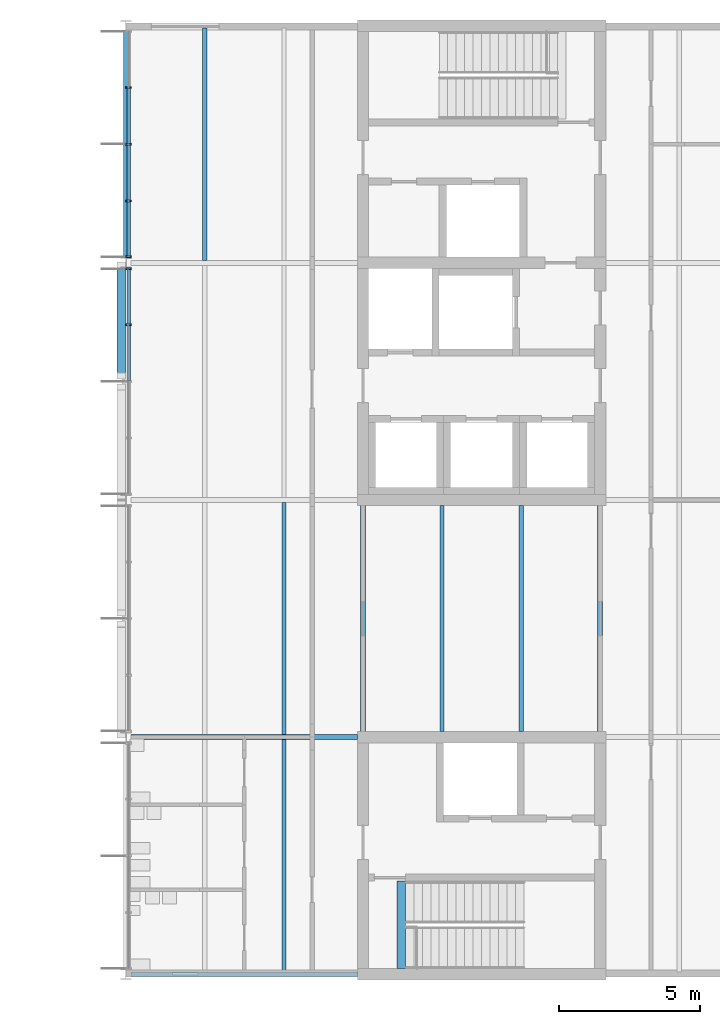
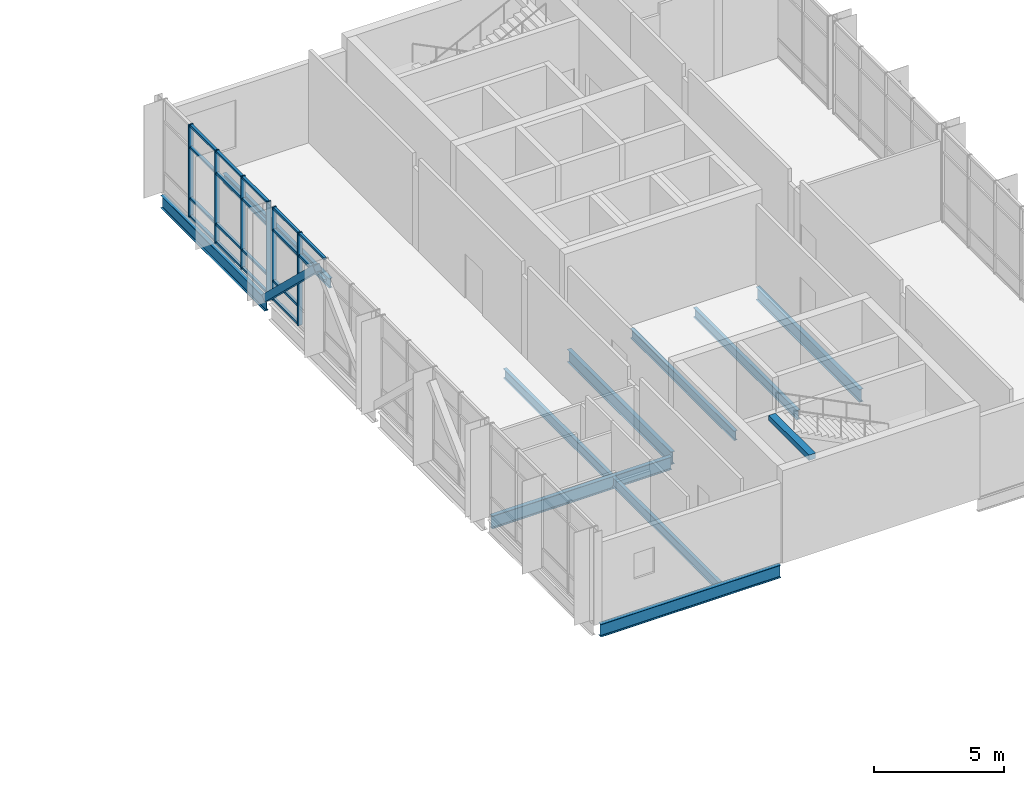
# One storey, part 4 of 14: 25 members, 11 beams, 2 elements without a shape of their own.
"""IFC4 building model written with IfcOpenShell, lengths in metres."""

from ifc_helpers import new_model, si_unit, direction, frame, origin, origin_2d, place, context, subcontext, project, spatial, rectangle, hollow_rectangle, i_section, extrude, material, material_profile, profile_set, type_object, element, aggregate, save


model = new_model("IFC4")

# Units and contexts
model_context = context("Model", 3, precision=1e-05, world=origin(), true_north=direction((0.0, 1.0)))
body_context = subcontext(model_context, "Body", "Model", "MODEL_VIEW")
ifc_project = project(units=[si_unit("LENGTHUNIT", "METRE"), si_unit("AREAUNIT", "SQUARE_METRE"), si_unit("VOLUMEUNIT", "CUBIC_METRE"), si_unit("PLANEANGLEUNIT", "RADIAN"), si_unit("MASSUNIT", "GRAM", prefix="KILO")], contexts=[model_context])

# Site, building, storey
site_placement = place(None, origin())
site = spatial("IfcSite", under=ifc_project, at=site_placement, CompositionType="ELEMENT")
building_placement = place(site_placement, origin())
building = spatial("IfcBuilding", under=site, at=building_placement, Name="Hlaing Beacon Police Headquarters", CompositionType="ELEMENT")
storey_placement = place(building_placement, frame((0.0, 0.0, 27.89990234375)))
storey = spatial("IfcBuildingStorey", under=building, at=storey_placement, Name="L06", CompositionType="ELEMENT", Elevation=27.89990234375)

# Member
ifc_material_1 = material(Name="Steel ASTM A500 Grade C", Category="steel")
ifc_material_profile_1 = material_profile(ifc_material_1, hollow_rectangle(XDim=0.3046875, YDim=0.3046875, WallThickness=0.009521484375, at=origin_2d()), Name="HSS12x12x3/8")
ifc_profile_set_1 = profile_set([ifc_material_profile_1], Name="Steel ASTM A500 Grade C")
member_type_1 = type_object("IfcMemberType", Name="Chevron brace HSS12x12x3/8", PredefinedType="BRACE", material=ifc_profile_set_1)
member_1_placement = place(storey_placement, frame((100.6435546875, 58.721923828125, 0.110107421875), z_axis=(0.0, -0.720186628496, 0.693780383216), x_axis=(1.0, 0.0, 0.0)))
element("IfcMember", 1, at=member_1_placement, inside=storey, type_object=member_type_1, Name="STR-BR-L06-N7b", PredefinedType="BRACE", context=body_context, shape_type="SweptSolid", body=[
    extrude(hollow_rectangle(XDim=0.3046875, YDim=0.3046875, WallThickness=0.009521484375, at=origin_2d()), origin(), (0.0, 0.0, 1.0), 5.445556640625),
])

# Beams
ifc_material_2 = material(Name="Steel ASTM A992 Grade 50", Category="steel")
ifc_material_profile_2 = material_profile(ifc_material_2, i_section(OverallWidth=0.177978515625, OverallDepth=0.599365234375, WebThickness=0.010009765625, FlangeThickness=0.012939453125, FilletRadius=0.012939453125, at=origin_2d()), Name="W24x55")
ifc_profile_set_2 = profile_set([ifc_material_profile_2], Name="Steel ASTM A992 Grade 50")
beam_type_1 = type_object("IfcBeamType", Name="Girder W24x55", PredefinedType="BEAM", material=ifc_profile_set_2)
beam_1_placement = place(storey_placement, frame((100.985107421875, 33.60009765625, -0.4296875), z_axis=(1.0, 0.0, 0.0), x_axis=(0.0, 1.0, 0.0)))
element("IfcBeam", 2, at=beam_1_placement, inside=storey, type_object=beam_type_1, Name="STR-BM-L06-GX-N5-P5", PredefinedType="BEAM", context=body_context, shape_type="SweptSolid", body=[
    extrude(i_section(OverallWidth=0.177978515625, OverallDepth=0.599365234375, WebThickness=0.010009765625, FlangeThickness=0.012939453125, FilletRadius=0.012939453125, at=origin_2d()), origin(), (0.0, 0.0, 1.0), 8.014892578125),
])
beam_2_placement = place(storey_placement, frame((100.987060546875, 42.0, -0.4296875), z_axis=(1.0, 0.0, 0.0), x_axis=(0.0, 1.0, 0.0)))
element("IfcBeam", 3, at=beam_2_placement, inside=storey, type_object=beam_type_1, Name="STR-BM-L06-GX-N6-P6", PredefinedType="BEAM", context=body_context, shape_type="SweptSolid", body=[
    extrude(i_section(OverallWidth=0.177978515625, OverallDepth=0.599365234375, WebThickness=0.010009765625, FlangeThickness=0.012939453125, FilletRadius=0.012939453125, at=origin_2d()), origin(), (0.0, 0.0, 1.0), 8.012939453125),
])
beam_3_placement = place(storey_placement, frame((100.800048828125, 58.987060546875, -0.4296875), z_axis=(0.0, 1.0, 0.0), x_axis=(-1.0, 0.0, 0.0)))
element("IfcBeam", 4, at=beam_3_placement, inside=storey, type_object=beam_type_1, Name="STR-BM-L06-GY-N8-N9", PredefinedType="BEAM", context=body_context, shape_type="SweptSolid", body=[
    extrude(i_section(OverallWidth=0.177978515625, OverallDepth=0.599365234375, WebThickness=0.010009765625, FlangeThickness=0.012939453125, FilletRadius=0.012939453125, at=origin_2d()), origin(), (0.0, 0.0, 1.0), 8.031005859375),
])
for number, where, z_axis, x_axis, name in (
    (5, (109.199951171875, 42.199951171875, -0.4296875), (0.0, 1.0, 0.0), (-1.0, 0.0, 0.0), "STR-BM-L06-GY-P6-P7"),
    (6, (117.60009765625, 42.199951171875, -0.4296875), (0.0, 1.0, 0.0), (-1.0, 0.0, 0.0), "STR-BM-L06-GY-Q6-Q7"),
):
    element("IfcBeam", number, at=place(storey_placement, frame(where, z_axis=z_axis, x_axis=x_axis)), inside=storey, type_object=beam_type_1, Name=name, PredefinedType="BEAM", context=body_context, shape_type="SweptSolid", body=[
        extrude(i_section(OverallWidth=0.177978515625, OverallDepth=0.599365234375, WebThickness=0.010009765625, FlangeThickness=0.012939453125, FilletRadius=0.012939453125, at=origin_2d()), origin(), (0.0, 0.0, 1.0), 8.0),
    ])

# Curtain wall, members
ifc_material_3 = material(Name="Aluminium frame with solar control glazing", Category="aluminium")
curtain_wall_type = type_object("IfcCurtainWallType", Name="Unitised curtain wall 8.04 x 4.37", PredefinedType="NOTDEFINED", material=ifc_material_3)
curtain_wall_1_placement = place(storey_placement, origin())
curtain_wall_1 = element("IfcCurtainWall", 7, at=curtain_wall_1_placement, inside=storey, type_object=curtain_wall_type, Name="ENV-CW-L06-W005", PredefinedType="NOTDEFINED")
ifc_material_4 = material(Name="Aluminium", Category="aluminium")
ifc_material_profile_3 = material_profile(ifc_material_4, rectangle(XDim=0.199951171875, YDim=0.06005859375, at=origin_2d()), Name="Mullion 60x200")
ifc_profile_set_3 = profile_set([ifc_material_profile_3], Name="Aluminium")
member_type_2 = type_object("IfcMemberType", Name="Mullion 60x200", PredefinedType="MULLION", material=ifc_profile_set_3)
member_2_placement = place(storey_placement, frame((100.89990234375, 65.011962890625, 0.0), z_axis=(0.0, 0.0, 1.0), x_axis=(1.0, 0.0, 0.0)))
member_2 = element("IfcMember", 8, at=member_2_placement, type_object=member_type_2, Name="CW-L06-W005 mullion 2", PredefinedType="MULLION", context=body_context, shape_type="SweptSolid", body=[
    extrude(rectangle(XDim=0.199951171875, YDim=0.06005859375, at=origin_2d()), origin(), (0.0, 0.0, 1.0), 4.3701171875),
])
member_3_placement = place(storey_placement, frame((100.89990234375, 63.001953125, 0.0), z_axis=(0.0, 0.0, 1.0), x_axis=(1.0, 0.0, 0.0)))
member_3 = element("IfcMember", 9, at=member_3_placement, type_object=member_type_2, Name="CW-L06-W005 mullion 3", PredefinedType="MULLION", context=body_context, shape_type="SweptSolid", body=[
    extrude(rectangle(XDim=0.199951171875, YDim=0.06005859375, at=origin_2d()), origin(), (0.0, 0.0, 1.0), 4.3701171875),
])
member_4_placement = place(storey_placement, frame((100.89990234375, 60.99169921875, 0.0), z_axis=(0.0, 0.0, 1.0), x_axis=(1.0, 0.0, 0.0)))
member_4 = element("IfcMember", 10, at=member_4_placement, type_object=member_type_2, Name="CW-L06-W005 mullion 4", PredefinedType="MULLION", context=body_context, shape_type="SweptSolid", body=[
    extrude(rectangle(XDim=0.199951171875, YDim=0.06005859375, at=origin_2d()), origin(), (0.0, 0.0, 1.0), 4.3701171875),
])
member_5_placement = place(storey_placement, frame((100.89990234375, 59.01171875, 0.0), z_axis=(0.0, 0.0, 1.0), x_axis=(1.0, 0.0, 0.0)))
member_5 = element("IfcMember", 11, at=member_5_placement, type_object=member_type_2, Name="CW-L06-W005 mullion 5", PredefinedType="MULLION", context=body_context, shape_type="SweptSolid", body=[
    extrude(rectangle(XDim=0.199951171875, YDim=0.06005859375, at=origin_2d()), origin(), (0.0, 0.0, 1.0), 4.3701171875),
])

curtain_wall_2_placement = place(storey_placement, origin())
curtain_wall_2 = element("IfcCurtainWall", 12, at=curtain_wall_2_placement, inside=storey, type_object=curtain_wall_type, Name="ENV-CW-L06-W006", PredefinedType="NOTDEFINED")
member_6_placement = place(storey_placement, frame((100.89990234375, 58.58837890625, 0.0), z_axis=(0.0, 0.0, 1.0), x_axis=(1.0, 0.0, 0.0)))
member_6 = element("IfcMember", 13, at=member_6_placement, type_object=member_type_2, Name="CW-L06-W006 mullion 1", PredefinedType="MULLION", context=body_context, shape_type="SweptSolid", body=[
    extrude(rectangle(XDim=0.199951171875, YDim=0.06005859375, at=origin_2d()), origin(), (0.0, 0.0, 1.0), 4.3701171875),
])
member_7_placement = place(storey_placement, frame((100.89990234375, 56.609130859375, 0.0), z_axis=(0.0, 0.0, 1.0), x_axis=(1.0, 0.0, 0.0)))
member_7 = element("IfcMember", 14, at=member_7_placement, type_object=member_type_2, Name="CW-L06-W006 mullion 2", PredefinedType="MULLION", context=body_context, shape_type="SweptSolid", body=[
    extrude(rectangle(XDim=0.199951171875, YDim=0.06005859375, at=origin_2d()), origin(), (0.0, 0.0, 1.0), 4.3701171875),
])

# Beams
ifc_material_5 = material(Name="Steel ASTM A992 Grade 50", Category="steel")
ifc_material_profile_4 = material_profile(ifc_material_5, i_section(OverallWidth=0.15234375, OverallDepth=0.449462890625, WebThickness=0.007568359375, FlangeThickness=0.0107421875, FilletRadius=0.01025390625, at=origin_2d()), Name="W18x35")
ifc_profile_set_4 = profile_set([ifc_material_profile_4], Name="Steel ASTM A992 Grade 50")
beam_type_2 = type_object("IfcBeamType", Name="Secondary beam W18x35", PredefinedType="BEAM", material=ifc_profile_set_4)
for number, where, z_axis, x_axis, name in (
    (15, (106.39990234375, 33.68896484375, -0.354736328125), (0.0, 1.0, 0.0), (-1.0, 0.0, 0.0), "STR-BM-L06-SB-N5-y2"),
    (16, (106.39990234375, 42.089111328125, -0.354736328125), (0.0, 1.0, 0.0), (-1.0, 0.0, 0.0), "STR-BM-L06-SB-N6-y2"),
):
    element("IfcBeam", number, at=place(storey_placement, frame(where, z_axis=z_axis, x_axis=x_axis)), inside=storey, type_object=beam_type_2, Name=name, PredefinedType="BEAM", context=body_context, shape_type="SweptSolid", body=[
        extrude(i_section(OverallWidth=0.15234375, OverallDepth=0.449462890625, WebThickness=0.007568359375, FlangeThickness=0.0107421875, FilletRadius=0.01025390625, at=origin_2d()), origin(), (0.0, 0.0, 1.0), 8.221923828125),
    ])
beam_4_placement = place(storey_placement, frame((103.60009765625, 58.888916015625, -0.354736328125), z_axis=(0.0, 1.0, 0.0), x_axis=(-1.0, 0.0, 0.0)))
element("IfcBeam", 17, at=beam_4_placement, inside=storey, type_object=beam_type_2, Name="STR-BM-L06-SB-N8-y1", PredefinedType="BEAM", context=body_context, shape_type="SweptSolid", body=[
    extrude(i_section(OverallWidth=0.15234375, OverallDepth=0.449462890625, WebThickness=0.007568359375, FlangeThickness=0.0107421875, FilletRadius=0.01025390625, at=origin_2d()), origin(), (0.0, 0.0, 1.0), 8.22216796875),
])
for number, where, z_axis, x_axis, name in (
    (18, (112.0, 42.199951171875, -0.354736328125), (0.0, 1.0, 0.0), (-1.0, 0.0, 0.0), "STR-BM-L06-SB-P6-y1"),
    (19, (114.800048828125, 42.199951171875, -0.354736328125), (0.0, 1.0, 0.0), (-1.0, 0.0, 0.0), "STR-BM-L06-SB-P6-y2"),
):
    element("IfcBeam", number, at=place(storey_placement, frame(where, z_axis=z_axis, x_axis=x_axis)), inside=storey, type_object=beam_type_2, Name=name, PredefinedType="BEAM", context=body_context, shape_type="SweptSolid", body=[
        extrude(i_section(OverallWidth=0.15234375, OverallDepth=0.449462890625, WebThickness=0.007568359375, FlangeThickness=0.0107421875, FilletRadius=0.01025390625, at=origin_2d()), origin(), (0.0, 0.0, 1.0), 8.0),
    ])
ifc_material_6 = material(Name="Concrete C40/50", Category="concrete")
ifc_material_profile_5 = material_profile(ifc_material_6, rectangle(XDim=0.300048828125, YDim=0.25, at=origin_2d()), Name="Stair arrival beam 300x250")
ifc_profile_set_5 = profile_set([ifc_material_profile_5], Name="Concrete C40/50")
beam_type_3 = type_object("IfcBeamType", Name="Stair arrival beam 300x250", PredefinedType="BEAM", material=ifc_profile_set_5)
beam_5_placement = place(storey_placement, frame((110.56005859375, 33.800048828125, 4.2451171875), z_axis=(0.0, 1.0, 0.0), x_axis=(-1.0, 0.0, 0.0)))
element("IfcBeam", 20, at=beam_5_placement, inside=storey, type_object=beam_type_3, Name="Stair arrival beam ST-L", PredefinedType="BEAM", context=body_context, shape_type="SweptSolid", body=[
    extrude(rectangle(XDim=0.300048828125, YDim=0.25, at=origin_2d()), origin(), (0.0, 0.0, 1.0), 3.099853515625),
])

# Member
ifc_material_7 = material(Name="Aluminium", Category="aluminium")
ifc_material_profile_6 = material_profile(ifc_material_7, rectangle(XDim=0.1201171875, YDim=0.10009765625, at=origin_2d()), Name="Transom 120x100")
ifc_profile_set_6 = profile_set([ifc_material_profile_6], Name="Aluminium")
member_type_3 = type_object("IfcMemberType", Name="Transom 120x100", PredefinedType="USERDEFINED", material=ifc_profile_set_6)
member_8_placement = place(storey_placement, frame((100.89990234375, 64.98193359375, 0.050048828125), z_axis=(0.0, -1.0, 0.0), x_axis=(1.0, 0.0, 0.0)))
member_8 = element("IfcMember", 21, at=member_8_placement, type_object=member_type_3, Name="CW-L06-W005 transom 2.1", ObjectType="TRANSOM", PredefinedType="USERDEFINED", context=body_context, shape_type="SweptSolid", body=[
    extrude(rectangle(XDim=0.1201171875, YDim=0.10009765625, at=origin_2d()), origin(), (0.0, 0.0, 1.0), 1.949951171875),
])

member_9_placement = place(storey_placement, frame((100.89990234375, 64.98193359375, 0.900146484375), z_axis=(0.0, -1.0, 0.0), x_axis=(1.0, 0.0, 0.0)))
member_9 = element("IfcMember", 22, at=member_9_placement, type_object=member_type_3, Name="CW-L06-W005 transom 2.2", ObjectType="TRANSOM", PredefinedType="USERDEFINED", context=body_context, shape_type="SweptSolid", body=[
    extrude(rectangle(XDim=0.1201171875, YDim=0.10009765625, at=origin_2d()), origin(), (0.0, 0.0, 1.0), 1.949951171875),
])

member_10_placement = place(storey_placement, frame((100.89990234375, 64.98193359375, 3.300048828125), z_axis=(0.0, -1.0, 0.0), x_axis=(1.0, 0.0, 0.0)))
member_10 = element("IfcMember", 23, at=member_10_placement, type_object=member_type_3, Name="CW-L06-W005 transom 2.3", ObjectType="TRANSOM", PredefinedType="USERDEFINED", context=body_context, shape_type="SweptSolid", body=[
    extrude(rectangle(XDim=0.1201171875, YDim=0.10009765625, at=origin_2d()), origin(), (0.0, 0.0, 1.0), 1.949951171875),
])

member_11_placement = place(storey_placement, frame((100.89990234375, 64.98193359375, 4.320068359375), z_axis=(0.0, -1.0, 0.0), x_axis=(1.0, 0.0, 0.0)))
member_11 = element("IfcMember", 24, at=member_11_placement, type_object=member_type_3, Name="CW-L06-W005 transom 2.4", ObjectType="TRANSOM", PredefinedType="USERDEFINED", context=body_context, shape_type="SweptSolid", body=[
    extrude(rectangle(XDim=0.1201171875, YDim=0.10009765625, at=origin_2d()), origin(), (0.0, 0.0, 1.0), 1.949951171875),
])

member_12_placement = place(storey_placement, frame((100.89990234375, 62.971923828125, 0.050048828125), z_axis=(0.0, -1.0, 0.0), x_axis=(1.0, 0.0, 0.0)))
member_12 = element("IfcMember", 25, at=member_12_placement, type_object=member_type_3, Name="CW-L06-W005 transom 3.1", ObjectType="TRANSOM", PredefinedType="USERDEFINED", context=body_context, shape_type="SweptSolid", body=[
    extrude(rectangle(XDim=0.1201171875, YDim=0.10009765625, at=origin_2d()), origin(), (0.0, 0.0, 1.0), 1.9501953125),
])

member_13_placement = place(storey_placement, frame((100.89990234375, 62.971923828125, 0.900146484375), z_axis=(0.0, -1.0, 0.0), x_axis=(1.0, 0.0, 0.0)))
member_13 = element("IfcMember", 26, at=member_13_placement, type_object=member_type_3, Name="CW-L06-W005 transom 3.2", ObjectType="TRANSOM", PredefinedType="USERDEFINED", context=body_context, shape_type="SweptSolid", body=[
    extrude(rectangle(XDim=0.1201171875, YDim=0.10009765625, at=origin_2d()), origin(), (0.0, 0.0, 1.0), 1.9501953125),
])

member_14_placement = place(storey_placement, frame((100.89990234375, 62.971923828125, 3.300048828125), z_axis=(0.0, -1.0, 0.0), x_axis=(1.0, 0.0, 0.0)))
member_14 = element("IfcMember", 27, at=member_14_placement, type_object=member_type_3, Name="CW-L06-W005 transom 3.3", ObjectType="TRANSOM", PredefinedType="USERDEFINED", context=body_context, shape_type="SweptSolid", body=[
    extrude(rectangle(XDim=0.1201171875, YDim=0.10009765625, at=origin_2d()), origin(), (0.0, 0.0, 1.0), 1.9501953125),
])

member_15_placement = place(storey_placement, frame((100.89990234375, 62.971923828125, 4.320068359375), z_axis=(0.0, -1.0, 0.0), x_axis=(1.0, 0.0, 0.0)))
member_15 = element("IfcMember", 28, at=member_15_placement, type_object=member_type_3, Name="CW-L06-W005 transom 3.4", ObjectType="TRANSOM", PredefinedType="USERDEFINED", context=body_context, shape_type="SweptSolid", body=[
    extrude(rectangle(XDim=0.1201171875, YDim=0.10009765625, at=origin_2d()), origin(), (0.0, 0.0, 1.0), 1.9501953125),
])

member_16_placement = place(storey_placement, frame((100.89990234375, 60.961669921875, 0.050048828125), z_axis=(0.0, -1.0, 0.0), x_axis=(1.0, 0.0, 0.0)))
member_16 = element("IfcMember", 29, at=member_16_placement, type_object=member_type_3, Name="CW-L06-W005 transom 4.1", ObjectType="TRANSOM", PredefinedType="USERDEFINED", context=body_context, shape_type="SweptSolid", body=[
    extrude(rectangle(XDim=0.1201171875, YDim=0.10009765625, at=origin_2d()), origin(), (0.0, 0.0, 1.0), 1.920166015625),
])

member_17_placement = place(storey_placement, frame((100.89990234375, 60.961669921875, 0.900146484375), z_axis=(0.0, -1.0, 0.0), x_axis=(1.0, 0.0, 0.0)))
member_17 = element("IfcMember", 30, at=member_17_placement, type_object=member_type_3, Name="CW-L06-W005 transom 4.2", ObjectType="TRANSOM", PredefinedType="USERDEFINED", context=body_context, shape_type="SweptSolid", body=[
    extrude(rectangle(XDim=0.1201171875, YDim=0.10009765625, at=origin_2d()), origin(), (0.0, 0.0, 1.0), 1.920166015625),
])

member_18_placement = place(storey_placement, frame((100.89990234375, 60.961669921875, 3.300048828125), z_axis=(0.0, -1.0, 0.0), x_axis=(1.0, 0.0, 0.0)))
member_18 = element("IfcMember", 31, at=member_18_placement, type_object=member_type_3, Name="CW-L06-W005 transom 4.3", ObjectType="TRANSOM", PredefinedType="USERDEFINED", context=body_context, shape_type="SweptSolid", body=[
    extrude(rectangle(XDim=0.1201171875, YDim=0.10009765625, at=origin_2d()), origin(), (0.0, 0.0, 1.0), 1.920166015625),
])

member_19_placement = place(storey_placement, frame((100.89990234375, 60.961669921875, 4.320068359375), z_axis=(0.0, -1.0, 0.0), x_axis=(1.0, 0.0, 0.0)))
member_19 = element("IfcMember", 32, at=member_19_placement, type_object=member_type_3, Name="CW-L06-W005 transom 4.4", ObjectType="TRANSOM", PredefinedType="USERDEFINED", context=body_context, shape_type="SweptSolid", body=[
    extrude(rectangle(XDim=0.1201171875, YDim=0.10009765625, at=origin_2d()), origin(), (0.0, 0.0, 1.0), 1.920166015625),
])

aggregate(curtain_wall_1, [member_2, member_3, member_4, member_5, member_8, member_9, member_10, member_11, member_12, member_13, member_14, member_15, member_16, member_17, member_18, member_19])

member_20_placement = place(storey_placement, frame((100.89990234375, 58.558349609375, 0.050048828125), z_axis=(0.0, -1.0, 0.0), x_axis=(1.0, 0.0, 0.0)))
member_20 = element("IfcMember", 33, at=member_20_placement, type_object=member_type_3, Name="CW-L06-W006 transom 1.1", ObjectType="TRANSOM", PredefinedType="USERDEFINED", context=body_context, shape_type="SweptSolid", body=[
    extrude(rectangle(XDim=0.1201171875, YDim=0.10009765625, at=origin_2d()), origin(), (0.0, 0.0, 1.0), 1.919189453125),
])

member_21_placement = place(storey_placement, frame((100.89990234375, 58.558349609375, 0.900146484375), z_axis=(0.0, -1.0, 0.0), x_axis=(1.0, 0.0, 0.0)))
member_21 = element("IfcMember", 34, at=member_21_placement, type_object=member_type_3, Name="CW-L06-W006 transom 1.2", ObjectType="TRANSOM", PredefinedType="USERDEFINED", context=body_context, shape_type="SweptSolid", body=[
    extrude(rectangle(XDim=0.1201171875, YDim=0.10009765625, at=origin_2d()), origin(), (0.0, 0.0, 1.0), 1.919189453125),
])

member_22_placement = place(storey_placement, frame((100.89990234375, 58.558349609375, 3.300048828125), z_axis=(0.0, -1.0, 0.0), x_axis=(1.0, 0.0, 0.0)))
member_22 = element("IfcMember", 35, at=member_22_placement, type_object=member_type_3, Name="CW-L06-W006 transom 1.3", ObjectType="TRANSOM", PredefinedType="USERDEFINED", context=body_context, shape_type="SweptSolid", body=[
    extrude(rectangle(XDim=0.1201171875, YDim=0.10009765625, at=origin_2d()), origin(), (0.0, 0.0, 1.0), 1.919189453125),
])

member_23_placement = place(storey_placement, frame((100.89990234375, 58.558349609375, 4.320068359375), z_axis=(0.0, -1.0, 0.0), x_axis=(1.0, 0.0, 0.0)))
member_23 = element("IfcMember", 36, at=member_23_placement, type_object=member_type_3, Name="CW-L06-W006 transom 1.4", ObjectType="TRANSOM", PredefinedType="USERDEFINED", context=body_context, shape_type="SweptSolid", body=[
    extrude(rectangle(XDim=0.1201171875, YDim=0.10009765625, at=origin_2d()), origin(), (0.0, 0.0, 1.0), 1.919189453125),
])

member_24_placement = place(storey_placement, frame((100.89990234375, 56.5791015625, 3.300048828125), z_axis=(0.0, -1.0, 0.0), x_axis=(1.0, 0.0, 0.0)))
member_24 = element("IfcMember", 37, at=member_24_placement, type_object=member_type_3, Name="CW-L06-W006 transom 2.3", ObjectType="TRANSOM", PredefinedType="USERDEFINED", context=body_context, shape_type="SweptSolid", body=[
    extrude(rectangle(XDim=0.1201171875, YDim=0.10009765625, at=origin_2d()), origin(), (0.0, 0.0, 1.0), 1.94921875),
])

member_25_placement = place(storey_placement, frame((100.89990234375, 56.5791015625, 4.320068359375), z_axis=(0.0, -1.0, 0.0), x_axis=(1.0, 0.0, 0.0)))
member_25 = element("IfcMember", 38, at=member_25_placement, type_object=member_type_3, Name="CW-L06-W006 transom 2.4", ObjectType="TRANSOM", PredefinedType="USERDEFINED", context=body_context, shape_type="SweptSolid", body=[
    extrude(rectangle(XDim=0.1201171875, YDim=0.10009765625, at=origin_2d()), origin(), (0.0, 0.0, 1.0), 1.94921875),
])

aggregate(curtain_wall_2, [member_6, member_7, member_20, member_21, member_22, member_23, member_24, member_25])

save(model, "model.ifc")
